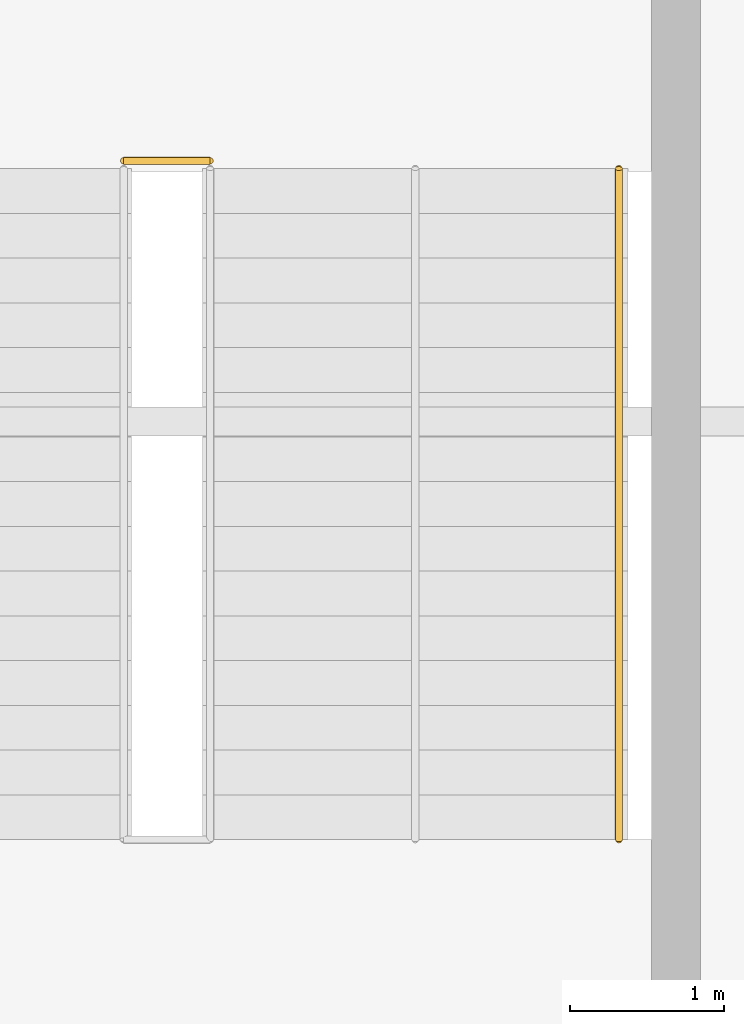
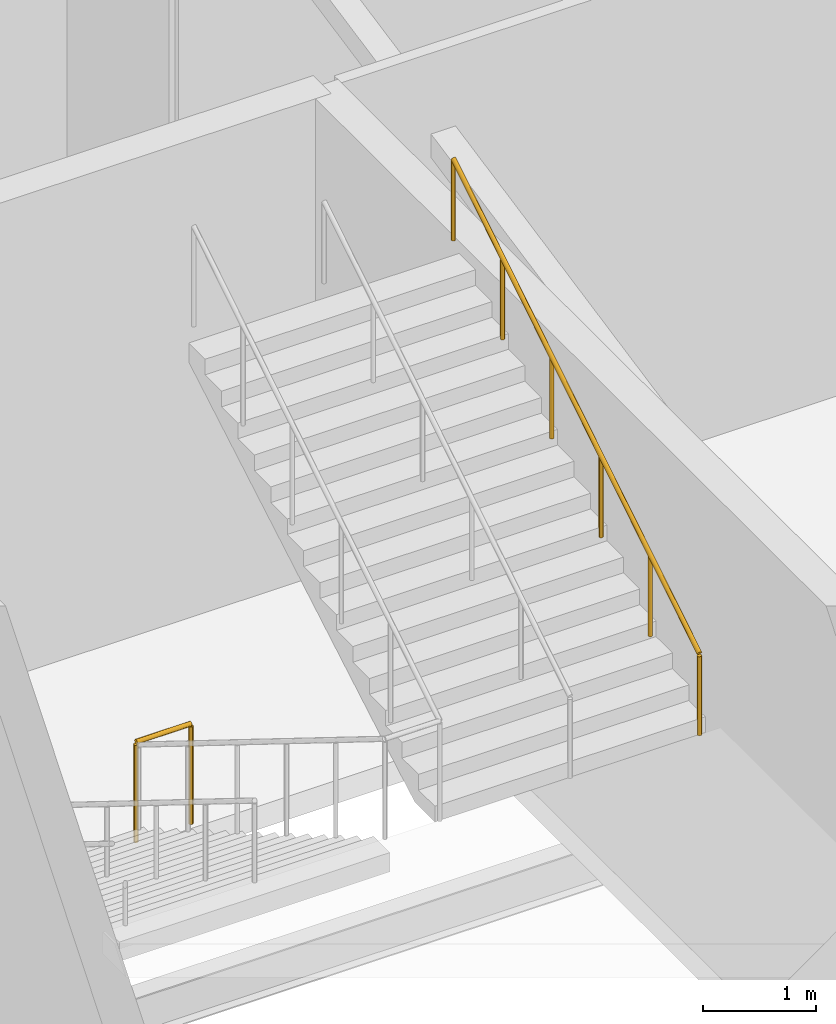
# One storey, part 111 of 113: 2 railings.
"""IFC4 building model written with IfcOpenShell, lengths in metres."""

from ifc_helpers import new_model, si_unit, direction, frame, origin, origin_2d, place, context, subcontext, project, spatial, circle, extrude, material, type_object, element, save


model = new_model("IFC4")

# Units and contexts
model_context = context("Model", 3, precision=1e-05, world=origin(), true_north=direction((0.0, 1.0)))
body_context = subcontext(model_context, "Body", "Model", "MODEL_VIEW")
ifc_project = project(units=[si_unit("LENGTHUNIT", "METRE"), si_unit("AREAUNIT", "SQUARE_METRE"), si_unit("VOLUMEUNIT", "CUBIC_METRE"), si_unit("PLANEANGLEUNIT", "RADIAN"), si_unit("MASSUNIT", "GRAM", prefix="KILO")], contexts=[model_context])

# Site, building, storey
site_placement = place(None, origin())
site = spatial("IfcSite", under=ifc_project, at=site_placement, CompositionType="ELEMENT")
building_placement = place(site_placement, origin())
building = spatial("IfcBuilding", under=site, at=building_placement, Name="Kisiwana Market Hall", CompositionType="ELEMENT")
storey_placement = place(building_placement, frame((0.0, 0.0, 6.0)))
storey = spatial("IfcBuildingStorey", under=building, at=storey_placement, Name="L01", CompositionType="ELEMENT", Elevation=6.0)

# Railings
ifc_material_1 = material(Name="Steel S275", Category="steel")
railing_type_1 = type_object("IfcRailingType", Name="RL-GUARD-1100", PredefinedType="GUARDRAIL", material=ifc_material_1)
railing_1_placement = place(storey_placement, frame((184.219970703125, 77.68994140625, 0.0)))
element("IfcRailing", 1, at=railing_1_placement, inside=storey, type_object=railing_type_1, Name="Stair ST-E4-L01 landing edge guardrail (RL-366)", PredefinedType="GUARDRAIL", context=body_context, shape_type="SweptSolid", body=[
    extrude(circle(Radius=0.02392578125, at=origin_2d()), frame((0.0, 0.0, 1.076171875), z_axis=(1.0, 0.0, 0.0), x_axis=(0.0, 1.0, 0.0)), (0.0, 0.0, 1.0), 0.56005859375),
    extrude(circle(Radius=0.02099609375, at=origin_2d()), origin(), (0.0, 0.0, 1.0), 1.052001953125),
    extrude(circle(Radius=0.02099609375, at=origin_2d()), frame((0.56005859375, 0.0, 0.0)), (0.0, 0.0, 1.0), 1.052001953125),
])
ifc_material_2 = material(Name="Steel S275", Category="steel")
railing_type_2 = type_object("IfcRailingType", Name="RL-HAND-900", PredefinedType="HANDRAIL", material=ifc_material_2)
railing_2_placement = place(storey_placement, frame((187.429931640625, 73.2900390625, 2.699951171875)))
element("IfcRailing", 2, at=railing_2_placement, inside=storey, type_object=railing_type_2, Name="Stair ST-E4-L01 flight 2 handrail (RL-363)", PredefinedType="HANDRAIL", context=body_context, shape_type="SweptSolid", body=[
    extrude(circle(Radius=0.02392578125, at=origin_2d()), frame((0.0, 0.0, 0.8759765625), z_axis=(0.0, 0.849636482215, 0.527368797038), x_axis=(-1.0, 0.0, 0.0)), (0.0, 0.0, 1.0), 5.11962890625),
    extrude(circle(Radius=0.02099609375, at=origin_2d()), origin(), (0.0, 0.0, 1.0), 0.851806640625),
    extrude(circle(Radius=0.02099609375, at=origin_2d()), frame((0.0, 0.869873046875, 0.5400390625)), (0.0, 0.0, 1.0), 0.851806640625),
    extrude(circle(Radius=0.02099609375, at=origin_2d()), frame((0.0, 1.739990234375, 1.080078125)), (0.0, 0.0, 1.0), 0.851806640625),
    extrude(circle(Radius=0.02099609375, at=origin_2d()), frame((0.0, 2.60986328125, 1.619873046875)), (0.0, 0.0, 1.0), 0.851806640625),
    extrude(circle(Radius=0.02099609375, at=origin_2d()), frame((0.0, 3.47998046875, 2.159912109375)), (0.0, 0.0, 1.0), 0.851806640625),
    extrude(circle(Radius=0.02099609375, at=origin_2d()), frame((0.0, 4.349853515625, 2.699951171875)), (0.0, 0.0, 1.0), 0.851806640625),
])

save(model, "model.ifc")
